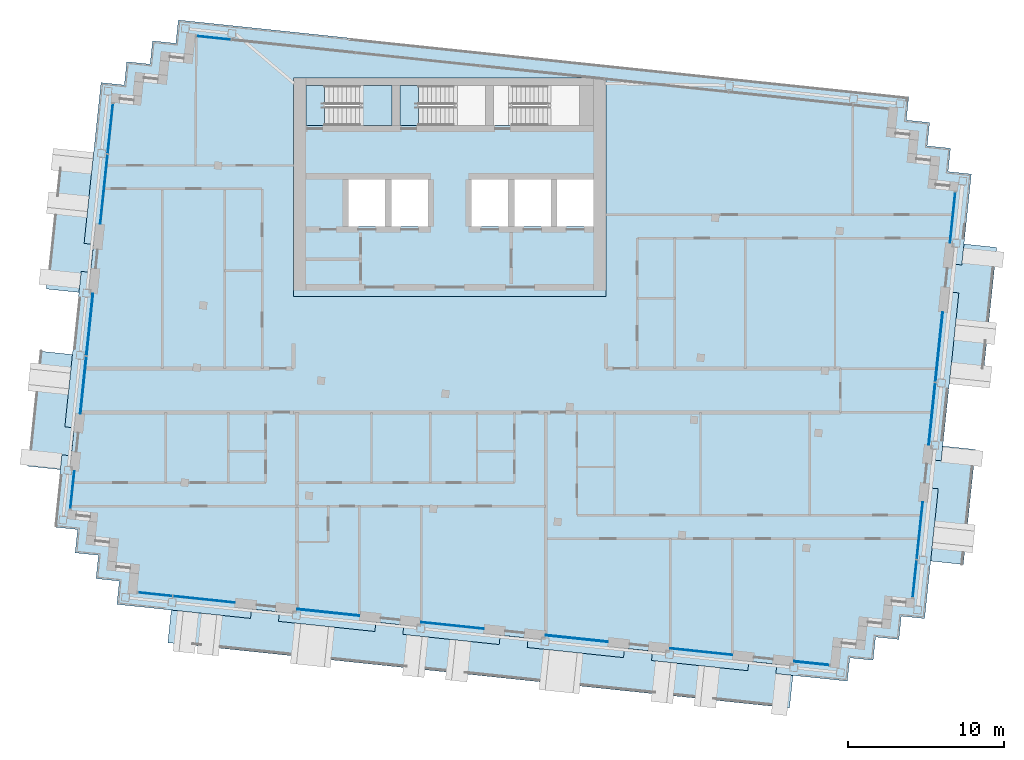
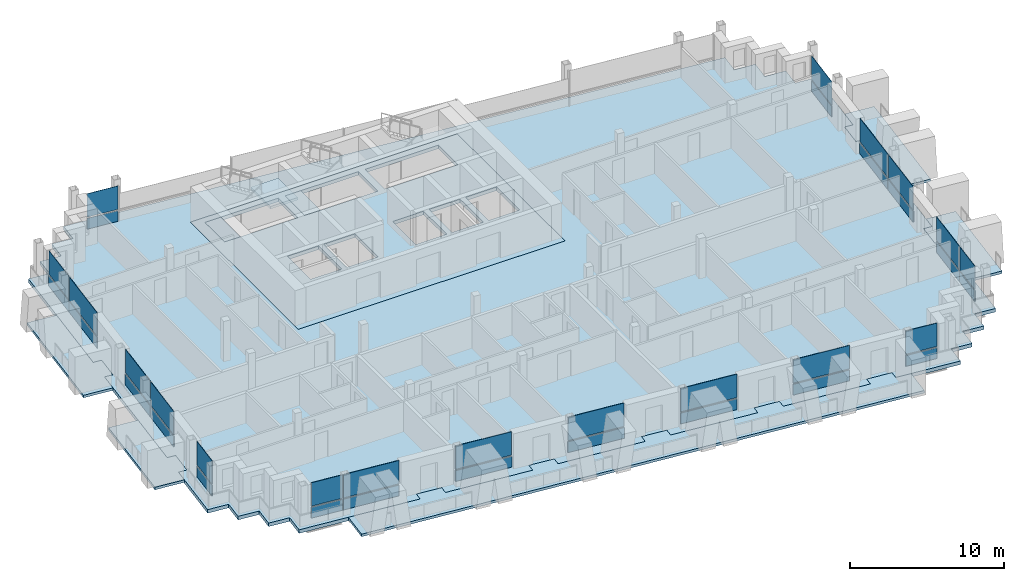
# One storey, part 7 of 16: 36 plates, 10 slabs, 14 elements without a shape of their own.
"""IFC4 building model written with IfcOpenShell, lengths in metres."""

from ifc_helpers import new_model, si_unit, direction, frame, origin, origin_2d, place, context, subcontext, project, spatial, polyline, rectangle, outline, extrude, material, layer, layer_set, type_object, element, aggregate, save


model = new_model("IFC4")

# Units and contexts
model_context = context("Model", 3, precision=1e-05, world=origin(), true_north=direction((0.0, 1.0)))
body_context = subcontext(model_context, "Body", "Model", "MODEL_VIEW")
ifc_project = project(units=[si_unit("LENGTHUNIT", "METRE"), si_unit("AREAUNIT", "SQUARE_METRE"), si_unit("VOLUMEUNIT", "CUBIC_METRE"), si_unit("PLANEANGLEUNIT", "RADIAN"), si_unit("MASSUNIT", "GRAM", prefix="KILO")], contexts=[model_context])

# Site, building, storey
site_placement = place(None, origin())
site = spatial("IfcSite", under=ifc_project, at=site_placement, CompositionType="ELEMENT")
building_placement = place(site_placement, origin())
building = spatial("IfcBuilding", under=site, at=building_placement, Name="Vidyagriha Tower", CompositionType="ELEMENT")
storey_placement = place(building_placement, frame((0.0, 0.0, 278.699951171875)))
storey = spatial("IfcBuildingStorey", under=building, at=storey_placement, Name="L73", CompositionType="ELEMENT", Elevation=278.699951171875)

# Curtain wall, plate
ifc_material_1 = material(Name="Aluminium and glass curtain wall", Category="aluminium")
curtain_wall_type = type_object("IfcCurtainWallType", Name="Dwelling skin unitised curtain wall", PredefinedType="USERDEFINED", material=ifc_material_1)
curtain_wall_1_placement = place(storey_placement, origin())
curtain_wall_1 = element("IfcCurtainWall", 1, at=curtain_wall_1_placement, inside=storey, type_object=curtain_wall_type, Name="CW1 dwelling skin", ObjectType="UNITISED", PredefinedType="USERDEFINED")
ifc_material_2 = material(Name="Glass dark ceramic-fritted spandrel", Category="glass")
ifc_layer_1 = layer(ifc_material_2, 0.0400390625)
ifc_layer_set_1 = layer_set([ifc_layer_1], Name="Glass dark ceramic-fritted spandrel")
plate_type_1 = type_object("IfcPlateType", Name="Ceramic-fritted spandrel panel", PredefinedType="CURTAIN_PANEL", material=ifc_layer_set_1)
plate_1_placement = place(storey_placement, frame((-15.11083984375, 22.56396484375, 0.0), z_axis=(0.0, 0.0, 1.0), x_axis=(-0.994521854435, 0.104528852722, 0.0)))
plate_1 = element("IfcPlate", 2, at=plate_1_placement, type_object=plate_type_1, Name="CW1 panel 7.1", PredefinedType="CURTAIN_PANEL", context=body_context, shape_type="SweptSolid", body=[
    extrude(rectangle(XDim=2.195068359375, YDim=0.0400390625, at=origin_2d()), origin(), (0.0, 0.0, 1.0), 0.85009765625),
])

# Curtain wall, plates
curtain_wall_2_placement = place(storey_placement, origin())
curtain_wall_2 = element("IfcCurtainWall", 3, at=curtain_wall_2_placement, inside=storey, type_object=curtain_wall_type, Name="CW1 dwelling skin", ObjectType="UNITISED", PredefinedType="USERDEFINED")
plate_2_placement = place(storey_placement, frame((-21.7216796875, 16.755615234375, 0.0), z_axis=(0.0, 0.0, 1.0), x_axis=(-0.104525282489, -0.994522229676, 0.0)))
plate_2 = element("IfcPlate", 4, at=plate_2_placement, type_object=plate_type_1, Name="CW1 panel 1.1", PredefinedType="CURTAIN_PANEL", context=body_context, shape_type="SweptSolid", body=[
    extrude(rectangle(XDim=3.195068359375, YDim=0.0400390625, at=origin_2d()), origin(), (0.0, 0.0, 1.0), 0.85009765625),
])
plate_3_placement = place(storey_placement, frame((-22.12939453125, 12.876953125, 0.0), z_axis=(0.0, 0.0, 1.0), x_axis=(-0.104525282489, -0.994522229676, 0.0)))
plate_3 = element("IfcPlate", 5, at=plate_3_placement, type_object=plate_type_1, Name="CW1 panel 2.1", PredefinedType="CURTAIN_PANEL", context=body_context, shape_type="SweptSolid", body=[
    extrude(rectangle(XDim=4.465087890625, YDim=0.0400390625, at=origin_2d()), origin(), (0.0, 0.0, 1.0), 0.85009765625),
])

# Curtain wall, plate
curtain_wall_3_placement = place(storey_placement, origin())
curtain_wall_3 = element("IfcCurtainWall", 6, at=curtain_wall_3_placement, inside=storey, type_object=curtain_wall_type, Name="CW1 dwelling skin", ObjectType="UNITISED", PredefinedType="USERDEFINED")
plate_4_placement = place(storey_placement, frame((-24.151611328125, -6.364501953125, 0.0), z_axis=(0.0, 0.0, 1.0), x_axis=(-0.10451613172, -0.994523191389, 0.0)))
plate_4 = element("IfcPlate", 7, at=plate_4_placement, type_object=plate_type_1, Name="CW1 panel 1.1", PredefinedType="CURTAIN_PANEL", context=body_context, shape_type="SweptSolid", body=[
    extrude(rectangle(XDim=2.43017578125, YDim=0.0400390625, at=origin_2d()), origin(), (0.0, 0.0, 1.0), 0.85009765625),
])

# Curtain wall, plates
curtain_wall_4_placement = place(storey_placement, origin())
curtain_wall_4 = element("IfcCurtainWall", 8, at=curtain_wall_4_placement, inside=storey, type_object=curtain_wall_type, Name="CW1 dwelling skin", ObjectType="UNITISED", PredefinedType="USERDEFINED")
plate_5_placement = place(storey_placement, frame((-18.852783203125, -13.0400390625, 0.0), z_axis=(0.0, 0.0, 1.0), x_axis=(0.994522400055, -0.104523661385, 0.0)))
plate_5 = element("IfcPlate", 9, at=plate_5_placement, type_object=plate_type_1, Name="CW1 panel 1.1", PredefinedType="CURTAIN_PANEL", context=body_context, shape_type="SweptSolid", body=[
    extrude(rectangle(XDim=2.195068359375, YDim=0.0400390625, at=origin_2d()), origin(), (0.0, 0.0, 1.0), 0.85009765625),
])
plate_6_placement = place(storey_placement, frame((-15.72021484375, -13.369384765625, 0.0), z_axis=(0.0, 0.0, 1.0), x_axis=(0.994522400055, -0.104523661385, 0.0)))
plate_6 = element("IfcPlate", 10, at=plate_6_placement, type_object=plate_type_1, Name="CW1 panel 2.1", PredefinedType="CURTAIN_PANEL", context=body_context, shape_type="SweptSolid", body=[
    extrude(rectangle(XDim=3.965087890625, YDim=0.0400390625, at=origin_2d()), origin(), (0.0, 0.0, 1.0), 0.85009765625),
])

# Curtain wall, plate
curtain_wall_5_placement = place(storey_placement, origin())
curtain_wall_5 = element("IfcCurtainWall", 11, at=curtain_wall_5_placement, inside=storey, type_object=curtain_wall_type, Name="CW1 dwelling skin", ObjectType="UNITISED", PredefinedType="USERDEFINED")
plate_7_placement = place(storey_placement, frame((0.1748046875, -15.039794921875, 0.0), z_axis=(0.0, 0.0, 1.0), x_axis=(0.994522016164, -0.104527313963, 0.0)))
plate_7 = element("IfcPlate", 12, at=plate_7_placement, type_object=plate_type_1, Name="CW1 panel 1.1", PredefinedType="CURTAIN_PANEL", context=body_context, shape_type="SweptSolid", body=[
    extrude(rectangle(XDim=4.0, YDim=0.0400390625, at=origin_2d()), origin(), (0.0, 0.0, 1.0), 0.85009765625),
])

curtain_wall_6_placement = place(storey_placement, origin())
curtain_wall_6 = element("IfcCurtainWall", 13, at=curtain_wall_6_placement, inside=storey, type_object=curtain_wall_type, Name="CW1 dwelling skin", ObjectType="UNITISED", PredefinedType="USERDEFINED")
plate_8_placement = place(storey_placement, frame((16.087158203125, -16.71240234375, 0.0), z_axis=(0.0, 0.0, 1.0), x_axis=(0.994522289309, -0.104524715101, 0.0)))
plate_8 = element("IfcPlate", 14, at=plate_8_placement, type_object=plate_type_1, Name="CW1 panel 1.1", PredefinedType="CURTAIN_PANEL", context=body_context, shape_type="SweptSolid", body=[
    extrude(rectangle(XDim=4.0, YDim=0.0400390625, at=origin_2d()), origin(), (0.0, 0.0, 1.0), 0.85009765625),
])

# Curtain wall, plates
curtain_wall_7_placement = place(storey_placement, origin())
curtain_wall_7 = element("IfcCurtainWall", 15, at=curtain_wall_7_placement, inside=storey, type_object=curtain_wall_type, Name="CW1 dwelling skin", ObjectType="UNITISED", PredefinedType="USERDEFINED")
plate_9_placement = place(storey_placement, frame((29.74951171875, -12.04736328125, 0.0), z_axis=(0.0, 0.0, 1.0), x_axis=(0.10453281607, 0.994521437861, 0.0)))
plate_9 = element("IfcPlate", 16, at=plate_9_placement, type_object=plate_type_1, Name="CW1 panel 1.1", PredefinedType="CURTAIN_PANEL", context=body_context, shape_type="SweptSolid", body=[
    extrude(rectangle(XDim=2.39501953125, YDim=0.0400390625, at=origin_2d()), origin(), (0.0, 0.0, 1.0), 0.85009765625),
])
plate_10_placement = place(storey_placement, frame((30.073486328125, -8.96435546875, 0.0), z_axis=(0.0, 0.0, 1.0), x_axis=(0.10453281607, 0.994521437861, 0.0)))
plate_10 = element("IfcPlate", 17, at=plate_10_placement, type_object=plate_type_1, Name="CW1 panel 2.1", PredefinedType="CURTAIN_PANEL", context=body_context, shape_type="SweptSolid", body=[
    extrude(rectangle(XDim=3.6650390625, YDim=0.0400390625, at=origin_2d()), origin(), (0.0, 0.0, 1.0), 0.85009765625),
])

# Curtain wall, plate
curtain_wall_8_placement = place(storey_placement, origin())
curtain_wall_8 = element("IfcCurtainWall", 18, at=curtain_wall_8_placement, inside=storey, type_object=curtain_wall_type, Name="CW1 dwelling skin", ObjectType="UNITISED", PredefinedType="USERDEFINED")
plate_11_placement = place(storey_placement, frame((32.1796875, 11.07275390625, 0.0), z_axis=(0.0, 0.0, 1.0), x_axis=(0.10451599791, 0.994523205451, 0.0)))
plate_11 = element("IfcPlate", 19, at=plate_11_placement, type_object=plate_type_1, Name="CW1 panel 1.1", PredefinedType="CURTAIN_PANEL", context=body_context, shape_type="SweptSolid", body=[
    extrude(rectangle(XDim=3.22998046875, YDim=0.0400390625, at=origin_2d()), origin(), (0.0, 0.0, 1.0), 0.85009765625),
])

# Slab
ifc_material_3 = material(Name="Concrete C60/75", Category="concrete")
ifc_layer_2 = layer(ifc_material_3, 0.280029296875)
ifc_layer_set_2 = layer_set([ifc_layer_2], Name="Concrete C60/75")
slab_type_1 = type_object("IfcSlabType", Name="Core floor slab 280 mm", PredefinedType="FLOOR", material=ifc_layer_set_2)
slab_1_placement = place(storey_placement, frame((0.0, 0.0, -0.280029296875)))
element("IfcSlab", 20, at=slab_1_placement, inside=storey, type_object=slab_type_1, Name="L73 core floor 1", PredefinedType="FLOOR", context=body_context, shape_type="SweptSolid", body=[
    extrude(outline(polyline([(-10.0, 6.0), (-10.0, 20.0), (10.0, 20.0), (10.0, 6.0), (-10.0, 6.0)]), holes=[polyline([(6.86669921875, 13.5), (6.86669921875, 10.5), (9.199951171875, 10.5), (9.199951171875, 13.5), (6.86669921875, 13.5)]), polyline([(4.0, 19.5), (2.800048828125, 19.5), (2.800048828125, 16.949951171875), (4.0, 16.949951171875), (8.300048828125, 16.949951171875), (8.300048828125, 19.5), (4.0, 19.5)]), polyline([(6.466796875, 13.5), (4.13330078125, 13.5), (4.13330078125, 10.5), (6.466796875, 10.5), (6.466796875, 13.5)]), polyline([(3.7333984375, 13.5), (1.39990234375, 13.5), (1.39990234375, 10.5), (3.7333984375, 10.5), (3.7333984375, 13.5)]), polyline([(-2.0, 16.949951171875), (2.300048828125, 16.949951171875), (2.300048828125, 19.5), (-2.0, 19.5), (-3.199951171875, 19.5), (-3.199951171875, 16.949951171875), (-2.0, 16.949951171875)]), polyline([(-3.7333984375, 13.5), (-3.7333984375, 10.5), (-1.39990234375, 10.5), (-1.39990234375, 13.5), (-3.7333984375, 13.5)]), polyline([(-9.199951171875, 19.5), (-9.199951171875, 16.949951171875), (-8.0, 16.949951171875), (-3.699951171875, 16.949951171875), (-3.699951171875, 19.5), (-8.0, 19.5), (-9.199951171875, 19.5)]), polyline([(-6.466796875, 13.5), (-6.466796875, 10.5), (-4.13330078125, 10.5), (-4.13330078125, 13.5), (-6.466796875, 13.5)])]), origin(), (0.0, 0.0, 1.0), 0.280029296875),
])

# Plate
ifc_material_4 = material(Name="Glass dark ceramic-fritted", Category="glass")
ifc_layer_3 = layer(ifc_material_4, 0.028076171875)
ifc_layer_set_3 = layer_set([ifc_layer_3], Name="Glass dark ceramic-fritted")
plate_type_2 = type_object("IfcPlateType", Name="Dark ceramic-fritted vision glass panel", PredefinedType="CURTAIN_PANEL", material=ifc_layer_set_3)
plate_12_placement = place(storey_placement, frame((-15.11083984375, 22.56396484375, 0.949951171875), z_axis=(0.0, 0.0, 1.0), x_axis=(-0.994521854435, 0.104528852722, 0.0)))
plate_12 = element("IfcPlate", 21, at=plate_12_placement, type_object=plate_type_2, Name="CW1 panel 7.2", PredefinedType="CURTAIN_PANEL", context=body_context, shape_type="SweptSolid", body=[
    extrude(rectangle(XDim=2.195068359375, YDim=0.028076171875, at=origin_2d()), origin(), (0.0, 0.0, 1.0), 1.85009765625),
])

aggregate(curtain_wall_1, [plate_1, plate_12])

plate_13_placement = place(storey_placement, frame((-21.7216796875, 16.755615234375, 0.949951171875), z_axis=(0.0, 0.0, 1.0), x_axis=(-0.104525282489, -0.994522229676, 0.0)))
plate_13 = element("IfcPlate", 22, at=plate_13_placement, type_object=plate_type_2, Name="CW1 panel 1.2", PredefinedType="CURTAIN_PANEL", context=body_context, shape_type="SweptSolid", body=[
    extrude(rectangle(XDim=3.195068359375, YDim=0.028076171875, at=origin_2d()), origin(), (0.0, 0.0, 1.0), 1.85009765625),
])

plate_14_placement = place(storey_placement, frame((-22.12939453125, 12.876953125, 0.949951171875), z_axis=(0.0, 0.0, 1.0), x_axis=(-0.104525282489, -0.994522229676, 0.0)))
plate_14 = element("IfcPlate", 23, at=plate_14_placement, type_object=plate_type_2, Name="CW1 panel 2.2", PredefinedType="CURTAIN_PANEL", context=body_context, shape_type="SweptSolid", body=[
    extrude(rectangle(XDim=4.465087890625, YDim=0.028076171875, at=origin_2d()), origin(), (0.0, 0.0, 1.0), 1.85009765625),
])

aggregate(curtain_wall_2, [plate_2, plate_13, plate_3, plate_14])

# Curtain wall, plates
curtain_wall_9_placement = place(storey_placement, origin())
curtain_wall_9 = element("IfcCurtainWall", 24, at=curtain_wall_9_placement, inside=storey, type_object=curtain_wall_type, Name="CW1 dwelling skin", ObjectType="UNITISED", PredefinedType="USERDEFINED")
plate_15_placement = place(storey_placement, frame((-23.040283203125, 4.209716796875, 0.949951171875), z_axis=(0.0, 0.0, 1.0), x_axis=(-0.10453267483, -0.994521452706, 0.0)))
plate_15 = element("IfcPlate", 25, at=plate_15_placement, type_object=plate_type_2, Name="CW1 panel 1.2", PredefinedType="CURTAIN_PANEL", context=body_context, shape_type="SweptSolid", body=[
    extrude(rectangle(XDim=3.965087890625, YDim=0.028076171875, at=origin_2d()), origin(), (0.0, 0.0, 1.0), 1.85009765625),
])
plate_16_placement = place(storey_placement, frame((-23.4462890625, 0.345947265625, 0.949951171875), z_axis=(0.0, 0.0, 1.0), x_axis=(-0.10453267483, -0.994521452706, 0.0)))
plate_16 = element("IfcPlate", 26, at=plate_16_placement, type_object=plate_type_2, Name="CW1 panel 2.2", PredefinedType="CURTAIN_PANEL", context=body_context, shape_type="SweptSolid", body=[
    extrude(rectangle(XDim=3.6650390625, YDim=0.028076171875, at=origin_2d()), origin(), (0.0, 0.0, 1.0), 1.85009765625),
])

# Plate
plate_17_placement = place(storey_placement, frame((-24.151611328125, -6.364501953125, 0.949951171875), z_axis=(0.0, 0.0, 1.0), x_axis=(-0.10451613172, -0.994523191389, 0.0)))
plate_17 = element("IfcPlate", 27, at=plate_17_placement, type_object=plate_type_2, Name="CW1 panel 1.2", PredefinedType="CURTAIN_PANEL", context=body_context, shape_type="SweptSolid", body=[
    extrude(rectangle(XDim=2.43017578125, YDim=0.028076171875, at=origin_2d()), origin(), (0.0, 0.0, 1.0), 1.85009765625),
])

aggregate(curtain_wall_3, [plate_4, plate_17])

plate_18_placement = place(storey_placement, frame((-18.852783203125, -13.0400390625, 0.949951171875), z_axis=(0.0, 0.0, 1.0), x_axis=(0.994522400055, -0.104523661385, 0.0)))
plate_18 = element("IfcPlate", 28, at=plate_18_placement, type_object=plate_type_2, Name="CW1 panel 1.2", PredefinedType="CURTAIN_PANEL", context=body_context, shape_type="SweptSolid", body=[
    extrude(rectangle(XDim=2.195068359375, YDim=0.028076171875, at=origin_2d()), origin(), (0.0, 0.0, 1.0), 1.85009765625),
])

plate_19_placement = place(storey_placement, frame((-15.72021484375, -13.369384765625, 0.949951171875), z_axis=(0.0, 0.0, 1.0), x_axis=(0.994522400055, -0.104523661385, 0.0)))
plate_19 = element("IfcPlate", 29, at=plate_19_placement, type_object=plate_type_2, Name="CW1 panel 2.2", PredefinedType="CURTAIN_PANEL", context=body_context, shape_type="SweptSolid", body=[
    extrude(rectangle(XDim=3.965087890625, YDim=0.028076171875, at=origin_2d()), origin(), (0.0, 0.0, 1.0), 1.85009765625),
])

aggregate(curtain_wall_4, [plate_5, plate_18, plate_6, plate_19])

# Curtain wall, plate
curtain_wall_10_placement = place(storey_placement, origin())
curtain_wall_10 = element("IfcCurtainWall", 30, at=curtain_wall_10_placement, inside=storey, type_object=curtain_wall_type, Name="CW1 dwelling skin", ObjectType="UNITISED", PredefinedType="USERDEFINED")
plate_20_placement = place(storey_placement, frame((-7.78125, -14.20361328125, 0.949951171875), z_axis=(0.0, 0.0, 1.0), x_axis=(0.994519690211, -0.104549441808, 0.0)))
plate_20 = element("IfcPlate", 31, at=plate_20_placement, type_object=plate_type_2, Name="CW1 panel 1.2", PredefinedType="CURTAIN_PANEL", context=body_context, shape_type="SweptSolid", body=[
    extrude(rectangle(XDim=4.0, YDim=0.028076171875, at=origin_2d()), origin(), (0.0, 0.0, 1.0), 1.85009765625),
])

# Plate
plate_21_placement = place(storey_placement, frame((0.1748046875, -15.039794921875, 0.949951171875), z_axis=(0.0, 0.0, 1.0), x_axis=(0.994522016164, -0.104527313963, 0.0)))
plate_21 = element("IfcPlate", 32, at=plate_21_placement, type_object=plate_type_2, Name="CW1 panel 1.2", PredefinedType="CURTAIN_PANEL", context=body_context, shape_type="SweptSolid", body=[
    extrude(rectangle(XDim=4.0, YDim=0.028076171875, at=origin_2d()), origin(), (0.0, 0.0, 1.0), 1.85009765625),
])

aggregate(curtain_wall_5, [plate_7, plate_21])

# Curtain wall, plate
curtain_wall_11_placement = place(storey_placement, origin())
curtain_wall_11 = element("IfcCurtainWall", 33, at=curtain_wall_11_placement, inside=storey, type_object=curtain_wall_type, Name="CW1 dwelling skin", ObjectType="UNITISED", PredefinedType="USERDEFINED")
plate_22_placement = place(storey_placement, frame((8.131103515625, -15.876220703125, 0.949951171875), z_axis=(0.0, 0.0, 1.0), x_axis=(0.994522289309, -0.104524715101, 0.0)))
plate_22 = element("IfcPlate", 34, at=plate_22_placement, type_object=plate_type_2, Name="CW1 panel 1.2", PredefinedType="CURTAIN_PANEL", context=body_context, shape_type="SweptSolid", body=[
    extrude(rectangle(XDim=4.0, YDim=0.028076171875, at=origin_2d()), origin(), (0.0, 0.0, 1.0), 1.85009765625),
])

# Plate
plate_23_placement = place(storey_placement, frame((16.087158203125, -16.71240234375, 0.949951171875), z_axis=(0.0, 0.0, 1.0), x_axis=(0.994522289309, -0.104524715101, 0.0)))
plate_23 = element("IfcPlate", 35, at=plate_23_placement, type_object=plate_type_2, Name="CW1 panel 1.2", PredefinedType="CURTAIN_PANEL", context=body_context, shape_type="SweptSolid", body=[
    extrude(rectangle(XDim=4.0, YDim=0.028076171875, at=origin_2d()), origin(), (0.0, 0.0, 1.0), 1.85009765625),
])

aggregate(curtain_wall_6, [plate_8, plate_23])

# Curtain wall, plate
curtain_wall_12_placement = place(storey_placement, origin())
curtain_wall_12 = element("IfcCurtainWall", 36, at=curtain_wall_12_placement, inside=storey, type_object=curtain_wall_type, Name="CW1 dwelling skin", ObjectType="UNITISED", PredefinedType="USERDEFINED")
plate_24_placement = place(storey_placement, frame((23.1630859375, -17.4560546875, 0.949951171875), z_axis=(0.0, 0.0, 1.0), x_axis=(0.994522592653, -0.10452182883, 0.0)))
plate_24 = element("IfcPlate", 37, at=plate_24_placement, type_object=plate_type_2, Name="CW1 panel 1.2", PredefinedType="CURTAIN_PANEL", context=body_context, shape_type="SweptSolid", body=[
    extrude(rectangle(XDim=2.22998046875, YDim=0.028076171875, at=origin_2d()), origin(), (0.0, 0.0, 1.0), 1.85009765625),
])

# Plate
plate_25_placement = place(storey_placement, frame((29.74951171875, -12.04736328125, 0.949951171875), z_axis=(0.0, 0.0, 1.0), x_axis=(0.10453281607, 0.994521437861, 0.0)))
plate_25 = element("IfcPlate", 38, at=plate_25_placement, type_object=plate_type_2, Name="CW1 panel 1.2", PredefinedType="CURTAIN_PANEL", context=body_context, shape_type="SweptSolid", body=[
    extrude(rectangle(XDim=2.39501953125, YDim=0.028076171875, at=origin_2d()), origin(), (0.0, 0.0, 1.0), 1.85009765625),
])

plate_26_placement = place(storey_placement, frame((30.073486328125, -8.96435546875, 0.949951171875), z_axis=(0.0, 0.0, 1.0), x_axis=(0.10453281607, 0.994521437861, 0.0)))
plate_26 = element("IfcPlate", 39, at=plate_26_placement, type_object=plate_type_2, Name="CW1 panel 2.2", PredefinedType="CURTAIN_PANEL", context=body_context, shape_type="SweptSolid", body=[
    extrude(rectangle(XDim=3.6650390625, YDim=0.028076171875, at=origin_2d()), origin(), (0.0, 0.0, 1.0), 1.85009765625),
])

aggregate(curtain_wall_7, [plate_9, plate_25, plate_10, plate_26])

# Curtain wall, plates
curtain_wall_13_placement = place(storey_placement, origin())
curtain_wall_13 = element("IfcCurtainWall", 40, at=curtain_wall_13_placement, inside=storey, type_object=curtain_wall_type, Name="CW1 dwelling skin", ObjectType="UNITISED", PredefinedType="USERDEFINED")
plate_27_placement = place(storey_placement, frame((30.859130859375, -1.490478515625, 0.949951171875), z_axis=(0.0, 0.0, 1.0), x_axis=(0.104529843047, 0.994521750347, 0.0)))
plate_27 = element("IfcPlate", 41, at=plate_27_placement, type_object=plate_type_2, Name="CW1 panel 1.2", PredefinedType="CURTAIN_PANEL", context=body_context, shape_type="SweptSolid", body=[
    extrude(rectangle(XDim=3.965087890625, YDim=0.028076171875, at=origin_2d()), origin(), (0.0, 0.0, 1.0), 1.85009765625),
])
plate_28_placement = place(storey_placement, frame((31.306884765625, 2.77099609375, 0.949951171875), z_axis=(0.0, 0.0, 1.0), x_axis=(0.104529843047, 0.994521750347, 0.0)))
plate_28 = element("IfcPlate", 42, at=plate_28_placement, type_object=plate_type_2, Name="CW1 panel 2.2", PredefinedType="CURTAIN_PANEL", context=body_context, shape_type="SweptSolid", body=[
    extrude(rectangle(XDim=4.465087890625, YDim=0.028076171875, at=origin_2d()), origin(), (0.0, 0.0, 1.0), 1.85009765625),
])

# Plate
plate_29_placement = place(storey_placement, frame((32.1796875, 11.07275390625, 0.949951171875), z_axis=(0.0, 0.0, 1.0), x_axis=(0.10451599791, 0.994523205451, 0.0)))
plate_29 = element("IfcPlate", 43, at=plate_29_placement, type_object=plate_type_2, Name="CW1 panel 1.2", PredefinedType="CURTAIN_PANEL", context=body_context, shape_type="SweptSolid", body=[
    extrude(rectangle(XDim=3.22998046875, YDim=0.028076171875, at=origin_2d()), origin(), (0.0, 0.0, 1.0), 1.85009765625),
])

aggregate(curtain_wall_8, [plate_11, plate_29])

# Slabs
ifc_material_5 = material(Name="Concrete C40/50", Category="concrete")
ifc_layer_4 = layer(ifc_material_5, 0.280029296875)
ifc_layer_set_4 = layer_set([ifc_layer_4], Name="Concrete C40/50")
slab_type_2 = type_object("IfcSlabType", Name="Exit stair floor landing 280 mm", PredefinedType="LANDING", material=ifc_layer_set_4)
slab_2_placement = place(storey_placement, frame((0.0, 0.0, -0.280029296875)))
element("IfcSlab", 44, at=slab_2_placement, inside=storey, type_object=slab_type_2, Name="ST1 floor landing L73", PredefinedType="LANDING", context=body_context, shape_type="SweptSolid", body=[
    extrude(outline(polyline([(-9.199951171875, 16.949951171875), (-8.0, 16.949951171875), (-8.0, 19.5), (-9.199951171875, 19.5), (-9.199951171875, 16.949951171875)])), origin(), (0.0, 0.0, 1.0), 0.280029296875),
])
slab_3_placement = place(storey_placement, frame((0.0, 0.0, -0.280029296875)))
element("IfcSlab", 45, at=slab_3_placement, inside=storey, type_object=slab_type_2, Name="ST2 floor landing L73", PredefinedType="LANDING", context=body_context, shape_type="SweptSolid", body=[
    extrude(outline(polyline([(-3.199951171875, 16.949951171875), (-2.0, 16.949951171875), (-2.0, 19.5), (-3.199951171875, 19.5), (-3.199951171875, 16.949951171875)])), origin(), (0.0, 0.0, 1.0), 0.280029296875),
])

# Stair, slab
ifc_material_6 = material(Name="Concrete C40/50", Category="concrete")
stair_type = type_object("IfcStairType", Name="Exit stair, half-turn, precast flights", PredefinedType="HALF_TURN_STAIR", material=ifc_material_6)
stair_placement = place(storey_placement, origin())
stair = element("IfcStair", 46, at=stair_placement, inside=storey, type_object=stair_type, Name="L73 Exit Stair ST1", PredefinedType="HALF_TURN_STAIR")
ifc_material_7 = material(Name="Concrete C40/50", Category="concrete")
ifc_layer_5 = layer(ifc_material_7, 0.199951171875)
ifc_layer_set_5 = layer_set([ifc_layer_5], Name="Concrete C40/50")
slab_type_3 = type_object("IfcSlabType", Name="Exit stair landing 200 mm", PredefinedType="LANDING", material=ifc_layer_set_5)
slab_4_placement = place(storey_placement, frame((0.0, 0.0, 1.400146484375)))
slab_4 = element("IfcSlab", 47, at=slab_4_placement, type_object=slab_type_3, Name="ST1 landing 1", PredefinedType="LANDING", context=body_context, shape_type="SweptSolid", body=[
    extrude(outline(polyline([(-5.760009765625, 16.949951171875), (-3.699951171875, 16.949951171875), (-3.699951171875, 19.5), (-5.760009765625, 19.5), (-5.760009765625, 16.949951171875)])), origin(), (0.0, 0.0, 1.0), 0.199951171875),
])
aggregate(stair, [slab_4])

# Plate
ifc_material_8 = material(Name="Aluminium black anodised", Category="aluminium")
ifc_layer_6 = layer(ifc_material_8, 0.06005859375)
ifc_layer_set_6 = layer_set([ifc_layer_6], Name="Aluminium black anodised")
plate_type_3 = type_object("IfcPlateType", Name="Operable black-metal vent panel", PredefinedType="CURTAIN_PANEL", material=ifc_layer_set_6)
plate_30_placement = place(storey_placement, frame((-23.040283203125, 4.209716796875, 0.0), z_axis=(0.0, 0.0, 1.0), x_axis=(-0.10453267483, -0.994521452706, 0.0)))
plate_30 = element("IfcPlate", 48, at=plate_30_placement, type_object=plate_type_3, Name="CW1 panel 1.1", PredefinedType="CURTAIN_PANEL", context=body_context, shape_type="SweptSolid", body=[
    extrude(rectangle(XDim=3.965087890625, YDim=0.06005859375, at=origin_2d()), origin(), (0.0, 0.0, 1.0), 0.85009765625),
])

plate_31_placement = place(storey_placement, frame((-23.4462890625, 0.345947265625, 0.0), z_axis=(0.0, 0.0, 1.0), x_axis=(-0.10453267483, -0.994521452706, 0.0)))
plate_31 = element("IfcPlate", 49, at=plate_31_placement, type_object=plate_type_3, Name="CW1 panel 2.1", PredefinedType="CURTAIN_PANEL", context=body_context, shape_type="SweptSolid", body=[
    extrude(rectangle(XDim=3.6650390625, YDim=0.06005859375, at=origin_2d()), origin(), (0.0, 0.0, 1.0), 0.85009765625),
])

aggregate(curtain_wall_9, [plate_30, plate_15, plate_31, plate_16])

plate_32_placement = place(storey_placement, frame((-7.78125, -14.20361328125, 0.0), z_axis=(0.0, 0.0, 1.0), x_axis=(0.994519690211, -0.104549441808, 0.0)))
plate_32 = element("IfcPlate", 50, at=plate_32_placement, type_object=plate_type_3, Name="CW1 panel 1.1", PredefinedType="CURTAIN_PANEL", context=body_context, shape_type="SweptSolid", body=[
    extrude(rectangle(XDim=4.0, YDim=0.06005859375, at=origin_2d()), origin(), (0.0, 0.0, 1.0), 0.85009765625),
])

aggregate(curtain_wall_10, [plate_32, plate_20])

plate_33_placement = place(storey_placement, frame((8.131103515625, -15.876220703125, 0.0), z_axis=(0.0, 0.0, 1.0), x_axis=(0.994522289309, -0.104524715101, 0.0)))
plate_33 = element("IfcPlate", 51, at=plate_33_placement, type_object=plate_type_3, Name="CW1 panel 1.1", PredefinedType="CURTAIN_PANEL", context=body_context, shape_type="SweptSolid", body=[
    extrude(rectangle(XDim=4.0, YDim=0.06005859375, at=origin_2d()), origin(), (0.0, 0.0, 1.0), 0.85009765625),
])

aggregate(curtain_wall_11, [plate_33, plate_22])

plate_34_placement = place(storey_placement, frame((23.1630859375, -17.4560546875, 0.0), z_axis=(0.0, 0.0, 1.0), x_axis=(0.994522592653, -0.10452182883, 0.0)))
plate_34 = element("IfcPlate", 52, at=plate_34_placement, type_object=plate_type_3, Name="CW1 panel 1.1", PredefinedType="CURTAIN_PANEL", context=body_context, shape_type="SweptSolid", body=[
    extrude(rectangle(XDim=2.22998046875, YDim=0.06005859375, at=origin_2d()), origin(), (0.0, 0.0, 1.0), 0.85009765625),
])

aggregate(curtain_wall_12, [plate_34, plate_24])

plate_35_placement = place(storey_placement, frame((30.859130859375, -1.490478515625, 0.0), z_axis=(0.0, 0.0, 1.0), x_axis=(0.104529843047, 0.994521750347, 0.0)))
plate_35 = element("IfcPlate", 53, at=plate_35_placement, type_object=plate_type_3, Name="CW1 panel 1.1", PredefinedType="CURTAIN_PANEL", context=body_context, shape_type="SweptSolid", body=[
    extrude(rectangle(XDim=3.965087890625, YDim=0.06005859375, at=origin_2d()), origin(), (0.0, 0.0, 1.0), 0.85009765625),
])

plate_36_placement = place(storey_placement, frame((31.306884765625, 2.77099609375, 0.0), z_axis=(0.0, 0.0, 1.0), x_axis=(0.104529843047, 0.994521750347, 0.0)))
plate_36 = element("IfcPlate", 54, at=plate_36_placement, type_object=plate_type_3, Name="CW1 panel 2.1", PredefinedType="CURTAIN_PANEL", context=body_context, shape_type="SweptSolid", body=[
    extrude(rectangle(XDim=4.465087890625, YDim=0.06005859375, at=origin_2d()), origin(), (0.0, 0.0, 1.0), 0.85009765625),
])

aggregate(curtain_wall_13, [plate_35, plate_27, plate_36, plate_28])

# Slabs
ifc_material_9 = material(Name="Concrete C50/60", Category="concrete")
ifc_layer_7 = layer(ifc_material_9, 0.280029296875)
ifc_layer_set_7 = layer_set([ifc_layer_7], Name="Concrete C50/60")
slab_type_4 = type_object("IfcSlabType", Name="Post-tensioned flat plate 280", PredefinedType="FLOOR", material=ifc_layer_set_7)
slab_5_placement = place(storey_placement, frame((0.0, 0.0, -0.280029296875)))
element("IfcSlab", 55, at=slab_5_placement, inside=storey, type_object=slab_type_4, Name="st-slab-L73-1", PredefinedType="FLOOR", context=body_context, shape_type="SweptSolid", body=[
    extrude(outline(polyline([(28.738037109375, -15.930419921875), (27.246337890625, -15.773681640625), (27.089599609375, -17.265380859375), (25.597900390625, -17.108642578125), (25.44091796875, -18.600341796875), (20.8662109375, -18.11962890625), (20.928955078125, -17.52294921875), (19.138916015625, -17.334716796875), (19.076171875, -17.931396484375), (12.91015625, -17.283447265625), (12.972900390625, -16.686767578125), (11.1826171875, -16.49853515625), (11.119873046875, -17.09521484375), (4.953857421875, -16.447265625), (5.0166015625, -15.8505859375), (3.226318359375, -15.662353515625), (3.163818359375, -16.259033203125), (-3.002197265625, -15.61083984375), (-2.939453125, -15.014404296875), (-4.729736328125, -14.826171875), (-4.79248046875, -15.4228515625), (-10.95849609375, -14.774658203125), (-10.895751953125, -14.177978515625), (-12.685791015625, -13.98974609375), (-12.74853515625, -14.586669921875), (-21.301513671875, -13.6875), (-21.144775390625, -12.19580078125), (-22.636474609375, -12.0390625), (-22.479736328125, -10.547119140625), (-23.971435546875, -10.390380859375), (-23.814697265625, -8.898681640625), (-25.306396484375, -8.741943359375), (-24.8203125, -4.1171875), (-24.223876953125, -4.179931640625), (-24.03564453125, -2.389892578125), (-24.63232421875, -2.3271484375), (-23.5869140625, 7.617919921875), (-22.990234375, 7.555419921875), (-22.80224609375, 9.345458984375), (-23.39892578125, 9.408203125), (-22.31689453125, 19.701416015625), (-20.8251953125, 19.544677734375), (-20.66845703125, 21.036376953125), (-19.176513671875, 20.879638671875), (-19.019775390625, 22.371337890625), (-17.528076171875, 22.214599609375), (-17.371337890625, 23.706298828125), (29.371337890625, 18.793701171875), (29.214599609375, 17.3017578125), (30.706298828125, 17.14501953125), (30.549560546875, 15.6533203125), (32.041259765625, 15.496337890625), (31.884521484375, 14.004638671875), (33.376220703125, 13.847900390625), (32.7646484375, 8.02978515625), (32.16796875, 8.092529296875), (31.97998046875, 6.302490234375), (32.57666015625, 6.23974609375), (31.44775390625, -4.501220703125), (30.85107421875, -4.4384765625), (30.662841796875, -6.228515625), (31.259521484375, -6.291259765625), (30.38671875, -14.595458984375), (28.89501953125, -14.438720703125), (28.738037109375, -15.930419921875)]), holes=[polyline([(-10.0, 20.0), (-10.0, 6.0), (10.0, 6.0), (10.0, 20.0), (-10.0, 20.0)])]), origin(), (0.0, 0.0, 1.0), 0.280029296875),
])
ifc_material_10 = material(Name="Precast concrete C40/50", Category="concrete")
ifc_layer_8 = layer(ifc_material_10, 0.199951171875)
ifc_layer_set_8 = layer_set([ifc_layer_8], Name="Precast concrete C40/50")
slab_type_5 = type_object("IfcSlabType", Name="Precast balcony slab 200", PredefinedType="USERDEFINED", material=ifc_layer_set_8)
slab_6_placement = place(storey_placement, frame((0.0, 0.0, -0.199951171875)))
element("IfcSlab", 56, at=slab_6_placement, inside=storey, type_object=slab_type_5, Name="Balcony slab L73 R14.1-1", ObjectType="BALCONY", PredefinedType="USERDEFINED", context=body_context, shape_type="SweptSolid", body=[
    extrude(outline(polyline([(-22.990234375, 7.555419921875), (-22.80224609375, 9.345458984375), (-23.39892578125, 9.408203125), (-22.787353515625, 15.226318359375), (-24.8759765625, 15.44580078125), (-25.816650390625, 6.4951171875), (-23.728271484375, 6.275390625), (-23.587158203125, 7.617919921875), (-22.990234375, 7.555419921875)])), origin(), (0.0, 0.0, 1.0), 0.199951171875),
])
slab_7_placement = place(storey_placement, frame((0.0, 0.0, -0.199951171875)))
element("IfcSlab", 57, at=slab_7_placement, inside=storey, type_object=slab_type_5, Name="Balcony slab L73 R14.2-2", ObjectType="BALCONY", PredefinedType="USERDEFINED", context=body_context, shape_type="SweptSolid", body=[
    extrude(outline(polyline([(-24.223876953125, -4.179931640625), (-24.03564453125, -2.389892578125), (-24.63232421875, -2.3271484375), (-24.146240234375, 2.29736328125), (-26.23486328125, 2.516845703125), (-27.00830078125, -4.842529296875), (-24.919921875, -5.06201171875), (-24.820556640625, -4.1171875), (-24.223876953125, -4.179931640625)])), origin(), (0.0, 0.0, 1.0), 0.199951171875),
])
slab_8_placement = place(storey_placement, frame((0.0, 0.0, -0.199951171875)))
element("IfcSlab", 58, at=slab_8_placement, inside=storey, type_object=slab_type_5, Name="Balcony slab L73 R21.1-5", ObjectType="BALCONY", PredefinedType="USERDEFINED", context=body_context, shape_type="SweptSolid", body=[
    extrude(outline(polyline([(20.8662109375, -18.11962890625), (20.928955078125, -17.52294921875), (19.138916015625, -17.334716796875), (19.076171875, -17.931396484375), (12.91015625, -17.283447265625), (12.972900390625, -16.686767578125), (11.1826171875, -16.49853515625), (11.119873046875, -17.09521484375), (4.953857421875, -16.447265625), (5.0166015625, -15.8505859375), (3.226318359375, -15.662353515625), (3.163818359375, -16.259033203125), (-3.002197265625, -15.611083984375), (-2.939453125, -15.014404296875), (-4.729736328125, -14.826171875), (-4.79248046875, -15.4228515625), (-10.95849609375, -14.774658203125), (-10.895751953125, -14.177978515625), (-12.685791015625, -13.98974609375), (-12.74853515625, -14.586669921875), (-17.82080078125, -14.053466796875), (-18.040283203125, -16.14208984375), (21.74072265625, -20.322998046875), (21.960205078125, -18.234619140625), (20.8662109375, -18.11962890625)])), origin(), (0.0, 0.0, 1.0), 0.199951171875),
])
slab_9_placement = place(storey_placement, frame((0.0, 0.0, -0.199951171875)))
element("IfcSlab", 59, at=slab_9_placement, inside=storey, type_object=slab_type_5, Name="Balcony slab L73 R28.1-1", ObjectType="BALCONY", PredefinedType="USERDEFINED", context=body_context, shape_type="SweptSolid", body=[
    extrude(outline(polyline([(31.259521484375, -6.291259765625), (30.7734375, -10.915771484375), (32.862060546875, -11.13525390625), (33.635498046875, -3.77587890625), (31.547119140625, -3.556396484375), (31.44775390625, -4.501220703125), (30.85107421875, -4.4384765625), (30.662841796875, -6.228515625), (31.259521484375, -6.291259765625)])), origin(), (0.0, 0.0, 1.0), 0.199951171875),
])
slab_10_placement = place(storey_placement, frame((0.0, 0.0, -0.199951171875)))
element("IfcSlab", 60, at=slab_10_placement, inside=storey, type_object=slab_type_5, Name="Balcony slab L73 R28.2-2", ObjectType="BALCONY", PredefinedType="USERDEFINED", context=body_context, shape_type="SweptSolid", body=[
    extrude(outline(polyline([(32.57666015625, 6.23974609375), (31.965087890625, 0.421875), (34.0537109375, 0.202392578125), (34.994384765625, 9.153076171875), (32.906005859375, 9.37255859375), (32.764892578125, 8.02978515625), (32.16796875, 8.092529296875), (31.97998046875, 6.302490234375), (32.57666015625, 6.23974609375)])), origin(), (0.0, 0.0, 1.0), 0.199951171875),
])

save(model, "model.ifc")
